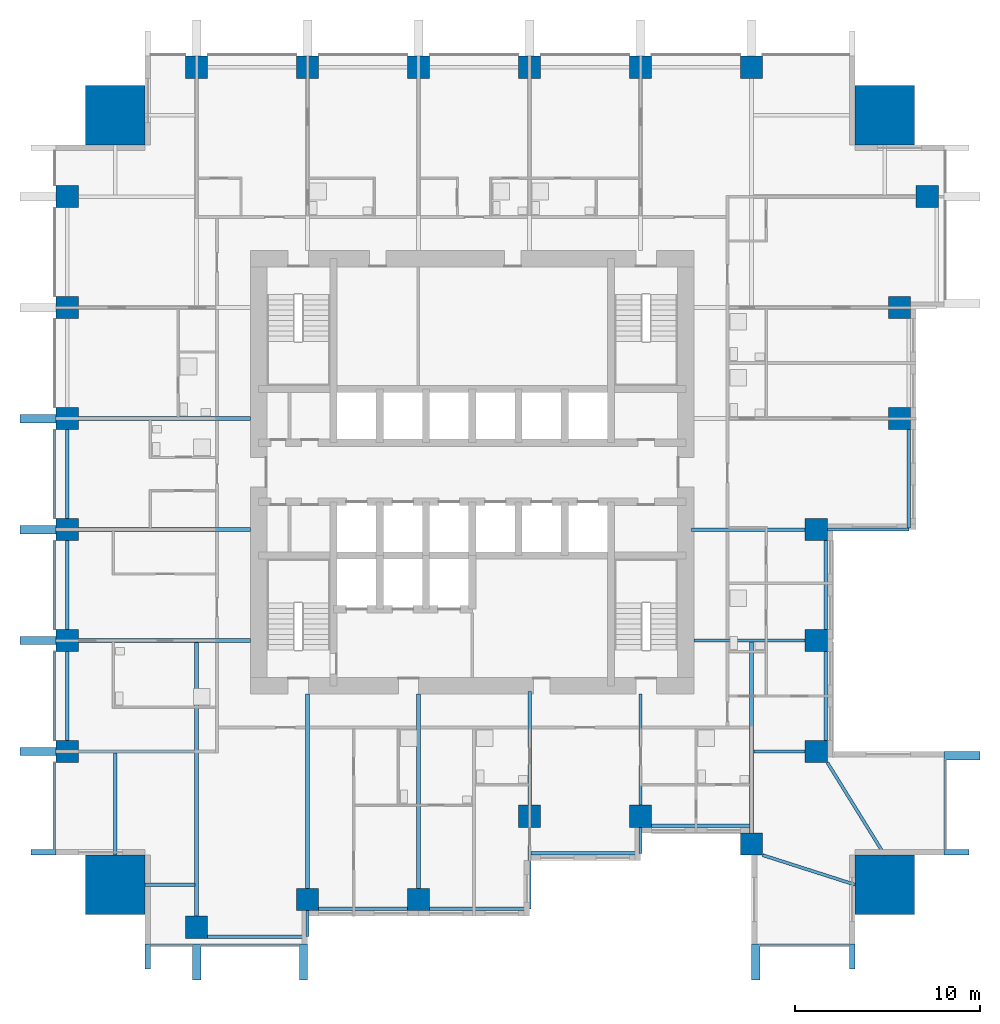
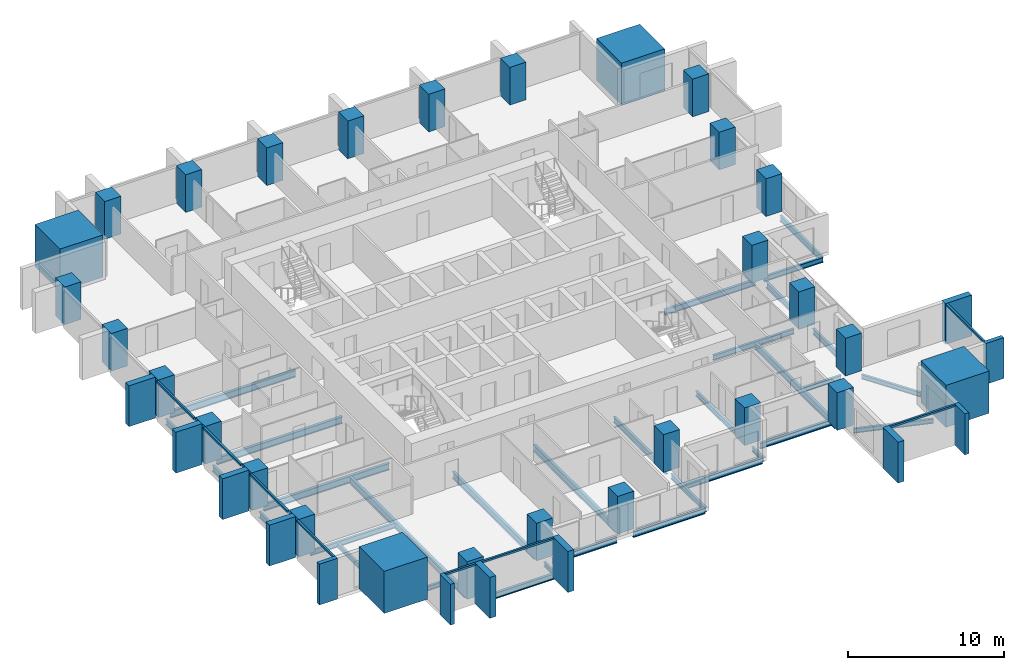
# One storey, part 1 of 10: 32 beams, 28 columns, 20 members, 4 elements without a shape of their own.
"""IFC4 building model written with IfcOpenShell, lengths in metres."""

from ifc_helpers import new_model, si_unit, direction, frame, origin, origin_2d, place, context, subcontext, project, spatial, rectangle, i_section, extrude, material, material_profile, profile_set, type_object, element, aggregate, save


model = new_model("IFC4")

# Units and contexts
model_context = context("Model", 3, precision=1e-05, world=origin(), true_north=direction((0.0, 1.0)))
body_context = subcontext(model_context, "Body", "Model", "MODEL_VIEW")
ifc_project = project(units=[si_unit("LENGTHUNIT", "METRE"), si_unit("AREAUNIT", "SQUARE_METRE"), si_unit("VOLUMEUNIT", "CUBIC_METRE"), si_unit("PLANEANGLEUNIT", "RADIAN"), si_unit("MASSUNIT", "GRAM", prefix="KILO")], contexts=[model_context])

# Site, building, storey
site_placement = place(None, origin())
site = spatial("IfcSite", under=ifc_project, at=site_placement, CompositionType="ELEMENT")
building_placement = place(site_placement, origin())
building = spatial("IfcBuilding", under=site, at=building_placement, Name="Amberfall Residences", CompositionType="ELEMENT")
storey_placement = place(building_placement, frame((0.0, 0.0, 66.39990234375)))
storey = spatial("IfcBuildingStorey", under=building, at=storey_placement, Name="L18", CompositionType="ELEMENT", Elevation=66.39990234375)

# Columns
ifc_material_1 = material(Name="Concrete C80", Category="concrete")
ifc_material_profile_1 = material_profile(ifc_material_1, rectangle(XDim=1.199951171875, YDim=1.199951171875, at=origin_2d()), Name="Column 1200 x 1200 C80")
ifc_profile_set_1 = profile_set([ifc_material_profile_1], Name="Concrete C80")
column_type_1 = type_object("IfcColumnType", Name="Column 1200 x 1200 C80", PredefinedType="COLUMN", material=ifc_profile_set_1)
for number, where, z_axis, x_axis, name in (
    (1, (59.60009765625, 20.89990234375, 0.0), (0.0, 0.0, 1.0), (1.0, 0.0, 0.0), "Column C1 L18 S1"),
    (2, (65.60009765625, 22.39990234375, 0.0), (0.0, 0.0, 1.0), (1.0, 0.0, 0.0), "Column C1 L18 S2"),
    (3, (71.60009765625, 22.39990234375, 0.0), (0.0, 0.0, 1.0), (1.0, 0.0, 0.0), "Column C1 L18 S3"),
    (4, (77.60009765625, 26.89990234375, 0.0), (0.0, 0.0, 1.0), (1.0, 0.0, 0.0), "Column C1 L18 S4"),
    (5, (83.60009765625, 26.89990234375, 0.0), (0.0, 0.0, 1.0), (1.0, 0.0, 0.0), "Column C1 L18 S5"),
    (6, (89.60009765625, 25.39990234375, 0.0), (0.0, 0.0, 1.0), (1.0, 0.0, 0.0), "Column C1 L18 S6"),
    (7, (93.10009765625, 30.39990234375, 0.0), (0.0, 0.0, 1.0), (1.0, 0.0, 0.0), "Column C1 L18 E1"),
    (8, (93.10009765625, 36.39990234375, 0.0), (0.0, 0.0, 1.0), (1.0, 0.0, 0.0), "Column C1 L18 E2"),
    (9, (93.10009765625, 42.39990234375, 0.0), (0.0, 0.0, 1.0), (1.0, 0.0, 0.0), "Column C1 L18 E3"),
    (10, (97.60009765625, 48.39990234375, 0.0), (0.0, 0.0, 1.0), (1.0, 0.0, 0.0), "Column C1 L18 E4"),
    (11, (97.60009765625, 54.39990234375, 0.0), (0.0, 0.0, 1.0), (1.0, 0.0, 0.0), "Column C1 L18 E5"),
    (12, (99.10009765625, 60.39990234375, 0.0), (0.0, 0.0, 1.0), (1.0, 0.0, 0.0), "Column C1 L18 E6"),
    (13, (59.60009765625, 67.39990234375, 0.0), (0.0, 0.0, 1.0), (1.0, 0.0, 0.0), "Column C1 L18 N1"),
    (14, (65.60009765625, 67.39990234375, 0.0), (0.0, 0.0, 1.0), (1.0, 0.0, 0.0), "Column C1 L18 N2"),
    (15, (71.60009765625, 67.39990234375, 0.0), (0.0, 0.0, 1.0), (1.0, 0.0, 0.0), "Column C1 L18 N3"),
    (16, (77.60009765625, 67.39990234375, 0.0), (0.0, 0.0, 1.0), (1.0, 0.0, 0.0), "Column C1 L18 N4"),
    (17, (83.60009765625, 67.39990234375, 0.0), (0.0, 0.0, 1.0), (1.0, 0.0, 0.0), "Column C1 L18 N5"),
    (18, (89.60009765625, 67.39990234375, 0.0), (0.0, 0.0, 1.0), (1.0, 0.0, 0.0), "Column C1 L18 N6"),
    (19, (52.60009765625, 30.39990234375, 0.0), (0.0, 0.0, 1.0), (1.0, 0.0, 0.0), "Column C1 L18 W1"),
    (20, (52.60009765625, 36.39990234375, 0.0), (0.0, 0.0, 1.0), (1.0, 0.0, 0.0), "Column C1 L18 W2"),
    (21, (52.60009765625, 42.39990234375, 0.0), (0.0, 0.0, 1.0), (1.0, 0.0, 0.0), "Column C1 L18 W3"),
    (22, (52.60009765625, 48.39990234375, 0.0), (0.0, 0.0, 1.0), (1.0, 0.0, 0.0), "Column C1 L18 W4"),
    (23, (52.60009765625, 54.39990234375, 0.0), (0.0, 0.0, 1.0), (1.0, 0.0, 0.0), "Column C1 L18 W5"),
    (24, (52.60009765625, 60.39990234375, 0.0), (0.0, 0.0, 1.0), (1.0, 0.0, 0.0), "Column C1 L18 W6"),
):
    element("IfcColumn", number, at=place(storey_placement, frame(where, z_axis=z_axis, x_axis=x_axis)), inside=storey, type_object=column_type_1, Name=name, PredefinedType="COLUMN", context=body_context, shape_type="SweptSolid", body=[
        extrude(rectangle(XDim=1.199951171875, YDim=1.199951171875, at=origin_2d()), origin(), (0.0, 0.0, 1.0), 2.9501953125),
    ])
ifc_material_profile_2 = material_profile(ifc_material_1, rectangle(XDim=3.199951171875, YDim=3.199951171875, at=origin_2d()), Name="Mega column 3200 x 3200 C80")
ifc_profile_set_2 = profile_set([ifc_material_profile_2], Name="Concrete C80")
column_type_2 = type_object("IfcColumnType", Name="Mega column 3200 x 3200 C80", PredefinedType="COLUMN", material=ifc_profile_set_2)
for number, where, z_axis, x_axis, name in (
    (25, (55.199951171875, 23.199951171875, 0.0), (0.0, 0.0, 1.0), (1.0, 0.0, 0.0), "Mega column MC1 L18 SW"),
    (26, (96.800048828125, 23.199951171875, 0.0), (0.0, 0.0, 1.0), (1.0, 0.0, 0.0), "Mega column MC1 L18 SE"),
    (27, (96.800048828125, 64.800048828125, 0.0), (0.0, 0.0, 1.0), (1.0, 0.0, 0.0), "Mega column MC1 L18 NE"),
    (28, (55.199951171875, 64.800048828125, 0.0), (0.0, 0.0, 1.0), (1.0, 0.0, 0.0), "Mega column MC1 L18 NW"),
):
    element("IfcColumn", number, at=place(storey_placement, frame(where, z_axis=z_axis, x_axis=x_axis)), inside=storey, type_object=column_type_2, Name=name, PredefinedType="COLUMN", context=body_context, shape_type="SweptSolid", body=[
        extrude(rectangle(XDim=3.199951171875, YDim=3.199951171875, at=origin_2d()), origin(), (0.0, 0.0, 1.0), 3.300048828125),
    ])

# Curtain wall, members
ifc_material_2 = material(Name="Bronze anodised aluminium and glass", Category="aluminium")
curtain_wall_type = type_object("IfcCurtainWallType", Name="Curtain wall CW1 tower unit", PredefinedType="USERDEFINED", material=ifc_material_2)
curtain_wall_1_placement = place(storey_placement, origin())
curtain_wall_1 = element("IfcCurtainWall", 29, at=curtain_wall_1_placement, inside=storey, type_object=curtain_wall_type, Name="Curtain wall L18 S S1", ObjectType="UNITISED CURTAIN WALL", PredefinedType="USERDEFINED")
ifc_material_3 = material(Name="Bronze anodised aluminium", Category="aluminium")
ifc_material_profile_3 = material_profile(ifc_material_3, rectangle(XDim=0.14990234375, YDim=0.14990234375, at=origin_2d()), Name="CW1 transom 150 x 150 bronze")
ifc_profile_set_3 = profile_set([ifc_material_profile_3], Name="Bronze anodised aluminium")
member_type_1 = type_object("IfcMemberType", Name="CW1 transom 150 x 150 bronze", PredefinedType="USERDEFINED", material=ifc_profile_set_3)
member_1_placement = place(storey_placement, frame((57.10009765625, 19.925048828125, 2.875), z_axis=(1.0, 0.0, 0.0), x_axis=(0.0, 1.0, 0.0)))
member_1 = element("IfcMember", 30, at=member_1_placement, type_object=member_type_1, Name="CW1 transom 1.1", ObjectType="TRANSOM", PredefinedType="USERDEFINED", context=body_context, shape_type="SweptSolid", body=[
    extrude(rectangle(XDim=0.14990234375, YDim=0.14990234375, at=origin_2d()), origin(), (0.0, 0.0, 1.0), 2.27490234375),
])
member_2_placement = place(storey_placement, frame((59.824951171875, 19.925048828125, 2.875), z_axis=(1.0, 0.0, 0.0), x_axis=(0.0, 1.0, 0.0)))
member_2 = element("IfcMember", 31, at=member_2_placement, type_object=member_type_1, Name="CW1 transom 2.1", ObjectType="TRANSOM", PredefinedType="USERDEFINED", context=body_context, shape_type="SweptSolid", body=[
    extrude(rectangle(XDim=0.14990234375, YDim=0.14990234375, at=origin_2d()), origin(), (0.0, 0.0, 1.0), 5.324951171875),
])

# Curtain wall, member
curtain_wall_2_placement = place(storey_placement, origin())
curtain_wall_2 = element("IfcCurtainWall", 32, at=curtain_wall_2_placement, inside=storey, type_object=curtain_wall_type, Name="Curtain wall L18 S S10", ObjectType="UNITISED CURTAIN WALL", PredefinedType="USERDEFINED")
member_3_placement = place(storey_placement, frame((90.050048828125, 19.925048828125, 2.875), z_axis=(1.0, 0.0, 0.0), x_axis=(0.0, 1.0, 0.0)))
member_3 = element("IfcMember", 33, at=member_3_placement, type_object=member_type_1, Name="CW1 transom 1.1", ObjectType="TRANSOM", PredefinedType="USERDEFINED", context=body_context, shape_type="SweptSolid", body=[
    extrude(rectangle(XDim=0.14990234375, YDim=0.14990234375, at=origin_2d()), origin(), (0.0, 0.0, 1.0), 4.849853515625),
])

curtain_wall_3_placement = place(storey_placement, origin())
curtain_wall_3 = element("IfcCurtainWall", 34, at=curtain_wall_3_placement, inside=storey, type_object=curtain_wall_type, Name="Curtain wall L18 E E1", ObjectType="UNITISED CURTAIN WALL", PredefinedType="USERDEFINED")
member_4_placement = place(storey_placement, frame((100.074951171875, 25.10009765625, 2.875), z_axis=(0.0, 1.0, 0.0), x_axis=(-1.0, 0.0, 0.0)))
member_4 = element("IfcMember", 35, at=member_4_placement, type_object=member_type_1, Name="CW1 transom 1.1", ObjectType="TRANSOM", PredefinedType="USERDEFINED", context=body_context, shape_type="SweptSolid", body=[
    extrude(rectangle(XDim=0.14990234375, YDim=0.14990234375, at=origin_2d()), origin(), (0.0, 0.0, 1.0), 4.849853515625),
])

# Curtain wall, members
curtain_wall_4_placement = place(storey_placement, origin())
curtain_wall_4 = element("IfcCurtainWall", 36, at=curtain_wall_4_placement, inside=storey, type_object=curtain_wall_type, Name="Curtain wall L18 W W1", ObjectType="UNITISED CURTAIN WALL", PredefinedType="USERDEFINED")
member_5_placement = place(storey_placement, frame((51.925048828125, 47.794921875, 2.875), z_axis=(0.0, -1.0, 0.0), x_axis=(1.0, 0.0, 0.0)))
member_5 = element("IfcMember", 37, at=member_5_placement, type_object=member_type_1, Name="CW1 transom 4.1", ObjectType="TRANSOM", PredefinedType="USERDEFINED", context=body_context, shape_type="SweptSolid", body=[
    extrude(rectangle(XDim=0.14990234375, YDim=0.14990234375, at=origin_2d()), origin(), (0.0, 0.0, 1.0), 4.7900390625),
])
member_6_placement = place(storey_placement, frame((51.925048828125, 41.794921875, 2.875), z_axis=(0.0, -1.0, 0.0), x_axis=(1.0, 0.0, 0.0)))
member_6 = element("IfcMember", 38, at=member_6_placement, type_object=member_type_1, Name="CW1 transom 5.1", ObjectType="TRANSOM", PredefinedType="USERDEFINED", context=body_context, shape_type="SweptSolid", body=[
    extrude(rectangle(XDim=0.14990234375, YDim=0.14990234375, at=origin_2d()), origin(), (0.0, 0.0, 1.0), 4.7900390625),
])
member_7_placement = place(storey_placement, frame((51.925048828125, 35.794921875, 2.875), z_axis=(0.0, -1.0, 0.0), x_axis=(1.0, 0.0, 0.0)))
member_7 = element("IfcMember", 39, at=member_7_placement, type_object=member_type_1, Name="CW1 transom 6.1", ObjectType="TRANSOM", PredefinedType="USERDEFINED", context=body_context, shape_type="SweptSolid", body=[
    extrude(rectangle(XDim=0.14990234375, YDim=0.14990234375, at=origin_2d()), origin(), (0.0, 0.0, 1.0), 4.7900390625),
])
member_8_placement = place(storey_placement, frame((51.925048828125, 29.794921875, 2.875), z_axis=(0.0, -1.0, 0.0), x_axis=(1.0, 0.0, 0.0)))
member_8 = element("IfcMember", 40, at=member_8_placement, type_object=member_type_1, Name="CW1 transom 7.1", ObjectType="TRANSOM", PredefinedType="USERDEFINED", context=body_context, shape_type="SweptSolid", body=[
    extrude(rectangle(XDim=0.14990234375, YDim=0.14990234375, at=origin_2d()), origin(), (0.0, 0.0, 1.0), 4.69482421875),
])

# Beams
ifc_material_4 = material(Name="Steel S355", Category="steel")
ifc_material_profile_4 = material_profile(ifc_material_4, i_section(OverallWidth=0.171142578125, OverallDepth=0.351318359375, WebThickness=0.007080078125, FlangeThickness=0.009765625, FilletRadius=0.01025390625, at=origin_2d()), Name="UB 356x171x45")
ifc_profile_set_4 = profile_set([ifc_material_profile_4], Name="Steel S355")
beam_type_1 = type_object("IfcBeamType", Name="Cantilever girder UB 356x171x45", PredefinedType="BEAM", material=ifc_profile_set_4)
for number, where, z_axis, x_axis, name in (
    (41, (65.60009765625, 21.800048828125, -0.425537109375), (0.0, -1.0, 0.0), (1.0, 0.0, 0.0), "Cantilever girder B8 L18 06"),
    (42, (83.60009765625, 26.300048828125, -0.425537109375), (0.0, -1.0, 0.0), (1.0, 0.0, 0.0), "Cantilever girder B8 L18 08"),
):
    element("IfcBeam", number, at=place(storey_placement, frame(where, z_axis=z_axis, x_axis=x_axis)), inside=storey, type_object=beam_type_1, Name=name, PredefinedType="BEAM", context=body_context, shape_type="SweptSolid", body=[
        extrude(i_section(OverallWidth=0.171142578125, OverallDepth=0.351318359375, WebThickness=0.007080078125, FlangeThickness=0.009765625, FilletRadius=0.01025390625, at=origin_2d()), origin(), (0.0, 0.0, 1.0), 1.400146484375),
    ])
ifc_material_profile_5 = material_profile(ifc_material_4, i_section(OverallWidth=0.177734375, OverallDepth=0.402587890625, WebThickness=0.0078125, FlangeThickness=0.010986328125, FilletRadius=0.01025390625, at=origin_2d()), Name="UB 406x178x54")
ifc_profile_set_5 = profile_set([ifc_material_profile_5], Name="Steel S355")
beam_type_2 = type_object("IfcBeamType", Name="Cantilever girder UB 406x178x54", PredefinedType="BEAM", material=ifc_profile_set_5)
for number, where, z_axis, x_axis, name in (
    (43, (77.60009765625, 26.300048828125, -0.451171875), (0.0, -1.0, 0.0), (1.0, 0.0, 0.0), "Cantilever girder B9 L18 07"),
    (44, (93.699951171875, 42.39990234375, -0.451171875), (1.0, 0.0, 0.0), (0.0, 1.0, 0.0), "Cantilever girder B9 L18 20"),
):
    element("IfcBeam", number, at=place(storey_placement, frame(where, z_axis=z_axis, x_axis=x_axis)), inside=storey, type_object=beam_type_2, Name=name, PredefinedType="BEAM", context=body_context, shape_type="SweptSolid", body=[
        extrude(i_section(OverallWidth=0.177734375, OverallDepth=0.402587890625, WebThickness=0.0078125, FlangeThickness=0.010986328125, FilletRadius=0.01025390625, at=origin_2d()), origin(), (0.0, 0.0, 1.0), 4.400146484375),
    ])

# Member
ifc_material_profile_6 = material_profile(ifc_material_3, rectangle(XDim=1.35009765625, YDim=0.300048828125, at=origin_2d()), Name="Corner fin 300 x 1350 bronze")
ifc_profile_set_6 = profile_set([ifc_material_profile_6], Name="Bronze anodised aluminium")
member_type_2 = type_object("IfcMemberType", Name="Corner fin 300 x 1350 bronze", PredefinedType="MULLION", material=ifc_profile_set_6)
member_9_placement = place(storey_placement, frame((56.949951171875, 19.324951171875, -0.25), z_axis=(0.0, 0.0, 1.0), x_axis=(0.0, 1.0, 0.0)))
member_9 = element("IfcMember", 45, at=member_9_placement, type_object=member_type_2, Name="CW FIN 1", PredefinedType="MULLION", context=body_context, shape_type="SweptSolid", body=[
    extrude(rectangle(XDim=1.35009765625, YDim=0.300048828125, at=origin_2d()), origin(), (0.0, 0.0, 1.0), 3.2001953125),
])

member_10_placement = place(storey_placement, frame((95.050048828125, 19.324951171875, -0.25), z_axis=(0.0, 0.0, 1.0), x_axis=(0.0, 1.0, 0.0)))
member_10 = element("IfcMember", 46, at=member_10_placement, type_object=member_type_2, Name="CW FIN 2", PredefinedType="MULLION", context=body_context, shape_type="SweptSolid", body=[
    extrude(rectangle(XDim=1.35009765625, YDim=0.300048828125, at=origin_2d()), origin(), (0.0, 0.0, 1.0), 3.2001953125),
])

member_11_placement = place(storey_placement, frame((100.675048828125, 24.949951171875, -0.25), z_axis=(0.0, 0.0, 1.0), x_axis=(-1.0, 0.0, 0.0)))
member_11 = element("IfcMember", 47, at=member_11_placement, type_object=member_type_2, Name="CW FIN 1", PredefinedType="MULLION", context=body_context, shape_type="SweptSolid", body=[
    extrude(rectangle(XDim=1.35009765625, YDim=0.300048828125, at=origin_2d()), origin(), (0.0, 0.0, 1.0), 3.2001953125),
])

member_12_placement = place(storey_placement, frame((51.324951171875, 24.949951171875, -0.25), z_axis=(0.0, 0.0, 1.0), x_axis=(1.0, 0.0, 0.0)))
member_12 = element("IfcMember", 48, at=member_12_placement, type_object=member_type_2, Name="CW FIN 8", PredefinedType="MULLION", context=body_context, shape_type="SweptSolid", body=[
    extrude(rectangle(XDim=1.35009765625, YDim=0.300048828125, at=origin_2d()), origin(), (0.0, 0.0, 1.0), 3.2001953125),
])

# Beams
ifc_material_profile_7 = material_profile(ifc_material_4, i_section(OverallWidth=0.18994140625, OverallDepth=0.453369140625, WebThickness=0.008544921875, FlangeThickness=0.0126953125, FilletRadius=0.01025390625, at=origin_2d()), Name="UB 457x191x67")
ifc_profile_set_7 = profile_set([ifc_material_profile_7], Name="Steel S355")
beam_type_3 = type_object("IfcBeamType", Name="Edge beam UB 457x191x67", PredefinedType="SPANDREL", material=ifc_profile_set_7)
beam_1_placement = place(storey_placement, frame((60.199951171875, 20.39990234375, -0.4765625), z_axis=(1.0, 0.0, 0.0), x_axis=(0.0, 1.0, 0.0)))
element("IfcBeam", 49, at=beam_1_placement, inside=storey, type_object=beam_type_3, Name="Edge beam B1 L18 01", PredefinedType="SPANDREL", context=body_context, shape_type="SweptSolid", body=[
    extrude(i_section(OverallWidth=0.18994140625, OverallDepth=0.453369140625, WebThickness=0.008544921875, FlangeThickness=0.0126953125, FilletRadius=0.01025390625, at=origin_2d()), origin(), (0.0, 0.0, 1.0), 5.320068359375),
])
beam_2_placement = place(storey_placement, frame((66.199951171875, 21.89990234375, -0.4765625), z_axis=(1.0, 0.0, 0.0), x_axis=(0.0, 1.0, 0.0)))
element("IfcBeam", 50, at=beam_2_placement, inside=storey, type_object=beam_type_3, Name="Edge beam B1 L18 02", PredefinedType="SPANDREL", context=body_context, shape_type="SweptSolid", body=[
    extrude(i_section(OverallWidth=0.18994140625, OverallDepth=0.453369140625, WebThickness=0.008544921875, FlangeThickness=0.0126953125, FilletRadius=0.01025390625, at=origin_2d()), origin(), (0.0, 0.0, 1.0), 4.800048828125),
])
beam_3_placement = place(storey_placement, frame((72.199951171875, 21.89990234375, -0.4765625), z_axis=(1.0, 0.0, 0.0), x_axis=(0.0, 1.0, 0.0)))
element("IfcBeam", 51, at=beam_3_placement, inside=storey, type_object=beam_type_3, Name="Edge beam B1 L18 03", PredefinedType="SPANDREL", context=body_context, shape_type="SweptSolid", body=[
    extrude(i_section(OverallWidth=0.18994140625, OverallDepth=0.453369140625, WebThickness=0.008544921875, FlangeThickness=0.0126953125, FilletRadius=0.01025390625, at=origin_2d()), origin(), (0.0, 0.0, 1.0), 5.320068359375),
])
beam_4_placement = place(storey_placement, frame((77.679931640625, 24.89990234375, -0.4765625), z_axis=(1.0, 0.0, 0.0), x_axis=(0.0, 1.0, 0.0)))
element("IfcBeam", 52, at=beam_4_placement, inside=storey, type_object=beam_type_3, Name="Edge beam B1 L18 04", PredefinedType="SPANDREL", context=body_context, shape_type="SweptSolid", body=[
    extrude(i_section(OverallWidth=0.18994140625, OverallDepth=0.453369140625, WebThickness=0.008544921875, FlangeThickness=0.0126953125, FilletRadius=0.01025390625, at=origin_2d()), origin(), (0.0, 0.0, 1.0), 5.840087890625),
])
beam_5_placement = place(storey_placement, frame((84.199951171875, 26.39990234375, -0.4765625), z_axis=(1.0, 0.0, 0.0), x_axis=(0.0, 1.0, 0.0)))
element("IfcBeam", 53, at=beam_5_placement, inside=storey, type_object=beam_type_3, Name="Edge beam B1 L18 05", PredefinedType="SPANDREL", context=body_context, shape_type="SweptSolid", body=[
    extrude(i_section(OverallWidth=0.18994140625, OverallDepth=0.453369140625, WebThickness=0.008544921875, FlangeThickness=0.0126953125, FilletRadius=0.01025390625, at=origin_2d()), origin(), (0.0, 0.0, 1.0), 5.320068359375),
])
for number, where, z_axis, x_axis, name in (
    (54, (93.60009765625, 31.0, -0.4765625), (0.0, 1.0, 0.0), (-1.0, 0.0, 0.0), "Edge beam B1 L18 15"),
    (55, (93.60009765625, 37.0, -0.4765625), (0.0, 1.0, 0.0), (-1.0, 0.0, 0.0), "Edge beam B1 L18 16"),
):
    element("IfcBeam", number, at=place(storey_placement, frame(where, z_axis=z_axis, x_axis=x_axis)), inside=storey, type_object=beam_type_3, Name=name, PredefinedType="SPANDREL", context=body_context, shape_type="SweptSolid", body=[
        extrude(i_section(OverallWidth=0.18994140625, OverallDepth=0.453369140625, WebThickness=0.008544921875, FlangeThickness=0.0126953125, FilletRadius=0.01025390625, at=origin_2d()), origin(), (0.0, 0.0, 1.0), 4.800048828125),
    ])
beam_6_placement = place(storey_placement, frame((98.10009765625, 42.47998046875, -0.4765625), z_axis=(0.0, 1.0, 0.0), x_axis=(-1.0, 0.0, 0.0)))
element("IfcBeam", 56, at=beam_6_placement, inside=storey, type_object=beam_type_3, Name="Edge beam B1 L18 17", PredefinedType="SPANDREL", context=body_context, shape_type="SweptSolid", body=[
    extrude(i_section(OverallWidth=0.18994140625, OverallDepth=0.453369140625, WebThickness=0.008544921875, FlangeThickness=0.0126953125, FilletRadius=0.01025390625, at=origin_2d()), origin(), (0.0, 0.0, 1.0), 5.320068359375),
])
for number, where, z_axis, x_axis, name in (
    (57, (52.60009765625, 31.0, -0.4765625), (0.0, 1.0, 0.0), (-1.0, 0.0, 0.0), "Edge beam B1 L18 39"),
    (58, (52.60009765625, 37.0, -0.4765625), (0.0, 1.0, 0.0), (-1.0, 0.0, 0.0), "Edge beam B1 L18 40"),
    (59, (52.60009765625, 43.0, -0.4765625), (0.0, 1.0, 0.0), (-1.0, 0.0, 0.0), "Edge beam B1 L18 41"),
):
    element("IfcBeam", number, at=place(storey_placement, frame(where, z_axis=z_axis, x_axis=x_axis)), inside=storey, type_object=beam_type_3, Name=name, PredefinedType="SPANDREL", context=body_context, shape_type="SweptSolid", body=[
        extrude(i_section(OverallWidth=0.18994140625, OverallDepth=0.453369140625, WebThickness=0.008544921875, FlangeThickness=0.0126953125, FilletRadius=0.01025390625, at=origin_2d()), origin(), (0.0, 0.0, 1.0), 4.800048828125),
    ])

# Member
ifc_material_profile_8 = material_profile(ifc_material_3, rectangle(XDim=1.949951171875, YDim=0.449951171875, at=origin_2d()), Name="Fin 450 x 1950 bronze")
ifc_profile_set_8 = profile_set([ifc_material_profile_8], Name="Bronze anodised aluminium")
member_type_3 = type_object("IfcMemberType", Name="Fin 450 x 1950 bronze", PredefinedType="MULLION", material=ifc_profile_set_8)
member_13_placement = place(storey_placement, frame((59.60009765625, 19.02490234375, -0.25), z_axis=(0.0, 0.0, 1.0), x_axis=(0.0, 1.0, 0.0)))
member_13 = element("IfcMember", 60, at=member_13_placement, type_object=member_type_3, Name="CW FIN 2", PredefinedType="MULLION", context=body_context, shape_type="SweptSolid", body=[
    extrude(rectangle(XDim=1.949951171875, YDim=0.449951171875, at=origin_2d()), origin(), (0.0, 0.0, 1.0), 3.2001953125),
])

member_14_placement = place(storey_placement, frame((65.375, 19.02490234375, -0.25), z_axis=(0.0, 0.0, 1.0), x_axis=(0.0, 1.0, 0.0)))
member_14 = element("IfcMember", 61, at=member_14_placement, type_object=member_type_3, Name="CW FIN 3", PredefinedType="MULLION", context=body_context, shape_type="SweptSolid", body=[
    extrude(rectangle(XDim=1.949951171875, YDim=0.449951171875, at=origin_2d()), origin(), (0.0, 0.0, 1.0), 3.2001953125),
])

aggregate(curtain_wall_1, [member_9, member_13, member_14, member_1, member_2])

member_15_placement = place(storey_placement, frame((89.824951171875, 19.02490234375, -0.25), z_axis=(0.0, 0.0, 1.0), x_axis=(0.0, 1.0, 0.0)))
member_15 = element("IfcMember", 62, at=member_15_placement, type_object=member_type_3, Name="CW FIN 1", PredefinedType="MULLION", context=body_context, shape_type="SweptSolid", body=[
    extrude(rectangle(XDim=1.949951171875, YDim=0.449951171875, at=origin_2d()), origin(), (0.0, 0.0, 1.0), 3.2001953125),
])

aggregate(curtain_wall_2, [member_15, member_10, member_3])

member_16_placement = place(storey_placement, frame((100.97509765625, 30.175048828125, -0.25), z_axis=(0.0, 0.0, 1.0), x_axis=(-1.0, 0.0, 0.0)))
member_16 = element("IfcMember", 63, at=member_16_placement, type_object=member_type_3, Name="CW FIN 2", PredefinedType="MULLION", context=body_context, shape_type="SweptSolid", body=[
    extrude(rectangle(XDim=1.949951171875, YDim=0.449951171875, at=origin_2d()), origin(), (0.0, 0.0, 1.0), 3.2001953125),
])

aggregate(curtain_wall_3, [member_11, member_16, member_4])

member_17_placement = place(storey_placement, frame((51.02490234375, 48.39990234375, -0.25), z_axis=(0.0, 0.0, 1.0), x_axis=(1.0, 0.0, 0.0)))
member_17 = element("IfcMember", 64, at=member_17_placement, type_object=member_type_3, Name="CW FIN 4", PredefinedType="MULLION", context=body_context, shape_type="SweptSolid", body=[
    extrude(rectangle(XDim=1.949951171875, YDim=0.449951171875, at=origin_2d()), origin(), (0.0, 0.0, 1.0), 3.2001953125),
])

member_18_placement = place(storey_placement, frame((51.02490234375, 42.39990234375, -0.25), z_axis=(0.0, 0.0, 1.0), x_axis=(1.0, 0.0, 0.0)))
member_18 = element("IfcMember", 65, at=member_18_placement, type_object=member_type_3, Name="CW FIN 5", PredefinedType="MULLION", context=body_context, shape_type="SweptSolid", body=[
    extrude(rectangle(XDim=1.949951171875, YDim=0.449951171875, at=origin_2d()), origin(), (0.0, 0.0, 1.0), 3.2001953125),
])

member_19_placement = place(storey_placement, frame((51.02490234375, 36.39990234375, -0.25), z_axis=(0.0, 0.0, 1.0), x_axis=(1.0, 0.0, 0.0)))
member_19 = element("IfcMember", 66, at=member_19_placement, type_object=member_type_3, Name="CW FIN 6", PredefinedType="MULLION", context=body_context, shape_type="SweptSolid", body=[
    extrude(rectangle(XDim=1.949951171875, YDim=0.449951171875, at=origin_2d()), origin(), (0.0, 0.0, 1.0), 3.2001953125),
])

member_20_placement = place(storey_placement, frame((51.02490234375, 30.39990234375, -0.25), z_axis=(0.0, 0.0, 1.0), x_axis=(1.0, 0.0, 0.0)))
member_20 = element("IfcMember", 67, at=member_20_placement, type_object=member_type_3, Name="CW FIN 7", PredefinedType="MULLION", context=body_context, shape_type="SweptSolid", body=[
    extrude(rectangle(XDim=1.949951171875, YDim=0.449951171875, at=origin_2d()), origin(), (0.0, 0.0, 1.0), 3.2001953125),
])

aggregate(curtain_wall_4, [member_17, member_18, member_19, member_20, member_12, member_5, member_6, member_7, member_8])

# Beams
ifc_material_profile_9 = material_profile(ifc_material_4, i_section(OverallWidth=0.171142578125, OverallDepth=0.351318359375, WebThickness=0.007080078125, FlangeThickness=0.009765625, FilletRadius=0.01025390625, at=origin_2d()), Name="UB 356x171x45")
ifc_profile_set_9 = profile_set([ifc_material_profile_9], Name="Steel S355")
beam_type_4 = type_object("IfcBeamType", Name="Floor girder UB 356x171x45", PredefinedType="BEAM", material=ifc_profile_set_9)
beam_7_placement = place(storey_placement, frame((92.5, 30.39990234375, -0.425537109375), z_axis=(-1.0, 0.0, 0.0), x_axis=(0.0, -1.0, 0.0)))
element("IfcBeam", 68, at=beam_7_placement, inside=storey, type_object=beam_type_4, Name="Floor girder B11 L18 22", PredefinedType="BEAM", context=body_context, shape_type="SweptSolid", body=[
    extrude(i_section(OverallWidth=0.171142578125, OverallDepth=0.351318359375, WebThickness=0.007080078125, FlangeThickness=0.009765625, FilletRadius=0.01025390625, at=origin_2d()), origin(), (0.0, 0.0, 1.0), 2.780029296875),
])
ifc_material_profile_10 = material_profile(ifc_material_4, i_section(OverallWidth=0.177734375, OverallDepth=0.402587890625, WebThickness=0.0078125, FlangeThickness=0.010986328125, FilletRadius=0.01025390625, at=origin_2d()), Name="UB 406x178x54")
ifc_profile_set_10 = profile_set([ifc_material_profile_10], Name="Steel S355")
beam_type_5 = type_object("IfcBeamType", Name="Floor girder UB 406x178x54", PredefinedType="BEAM", material=ifc_profile_set_10)
for number, where, z_axis, x_axis, name in (
    (69, (83.60009765625, 27.5, -0.451171875), (0.0, 1.0, 0.0), (-1.0, 0.0, 0.0), "Floor girder B4 L18 13"),
    (70, (92.5, 36.39990234375, -0.451171875), (-1.0, 0.0, 0.0), (0.0, -1.0, 0.0), "Floor girder B4 L18 23"),
):
    element("IfcBeam", number, at=place(storey_placement, frame(where, z_axis=z_axis, x_axis=x_axis)), inside=storey, type_object=beam_type_5, Name=name, PredefinedType="BEAM", context=body_context, shape_type="SweptSolid", body=[
        extrude(i_section(OverallWidth=0.177734375, OverallDepth=0.402587890625, WebThickness=0.0078125, FlangeThickness=0.010986328125, FilletRadius=0.01025390625, at=origin_2d()), origin(), (0.0, 0.0, 1.0), 6.0),
    ])
beam_8_placement = place(storey_placement, frame((53.199951171875, 30.39990234375, -0.451171875), z_axis=(1.0, 0.0, 0.0), x_axis=(0.0, 1.0, 0.0)))
element("IfcBeam", 71, at=beam_8_placement, inside=storey, type_object=beam_type_5, Name="Floor girder B4 L18 44", PredefinedType="BEAM", context=body_context, shape_type="SweptSolid", body=[
    extrude(i_section(OverallWidth=0.177734375, OverallDepth=0.402587890625, WebThickness=0.0078125, FlangeThickness=0.010986328125, FilletRadius=0.01025390625, at=origin_2d()), origin(), (0.0, 0.0, 1.0), 6.280029296875),
])
ifc_material_profile_11 = material_profile(ifc_material_4, i_section(OverallWidth=0.19140625, OverallDepth=0.4599609375, WebThickness=0.010009765625, FlangeThickness=0.01611328125, FilletRadius=0.01025390625, at=origin_2d()), Name="UB 457x191x82")
ifc_profile_set_11 = profile_set([ifc_material_profile_11], Name="Steel S355")
beam_type_6 = type_object("IfcBeamType", Name="Floor girder UB 457x191x82", PredefinedType="BEAM", material=ifc_profile_set_11)
for number, where, z_axis, x_axis, name in (
    (72, (77.60009765625, 26.89990234375, -0.47998046875), (0.0, 1.0, 0.0), (-1.0, 0.0, 0.0), "Floor girder B10 L18 12"),
    (73, (93.10009765625, 42.39990234375, -0.47998046875), (-1.0, 0.0, 0.0), (0.0, -1.0, 0.0), "Floor girder B10 L18 24"),
):
    element("IfcBeam", number, at=place(storey_placement, frame(where, z_axis=z_axis, x_axis=x_axis)), inside=storey, type_object=beam_type_6, Name=name, PredefinedType="BEAM", context=body_context, shape_type="SweptSolid", body=[
        extrude(i_section(OverallWidth=0.19140625, OverallDepth=0.4599609375, WebThickness=0.010009765625, FlangeThickness=0.01611328125, FilletRadius=0.01025390625, at=origin_2d()), origin(), (0.0, 0.0, 1.0), 6.75),
    ])
ifc_material_profile_12 = material_profile(ifc_material_4, i_section(OverallWidth=0.210693359375, OverallDepth=0.53955078125, WebThickness=0.01171875, FlangeThickness=0.018798828125, FilletRadius=0.0126953125, at=origin_2d()), Name="UB 533x210x109")
ifc_profile_set_12 = profile_set([ifc_material_profile_12], Name="Steel S355")
beam_type_7 = type_object("IfcBeamType", Name="Floor girder UB 533x210x109", PredefinedType="BEAM", material=ifc_profile_set_12)
beam_9_placement = place(storey_placement, frame((59.60009765625, 21.5, -0.51953125), z_axis=(0.0, 1.0, 0.0), x_axis=(-1.0, 0.0, 0.0)))
element("IfcBeam", 74, at=beam_9_placement, inside=storey, type_object=beam_type_7, Name="Floor girder B2 L18 09", PredefinedType="BEAM", context=body_context, shape_type="SweptSolid", body=[
    extrude(i_section(OverallWidth=0.210693359375, OverallDepth=0.53955078125, WebThickness=0.01171875, FlangeThickness=0.018798828125, FilletRadius=0.0126953125, at=origin_2d()), origin(), (0.0, 0.0, 1.0), 14.80029296875),
])
ifc_material_profile_13 = material_profile(ifc_material_4, i_section(OverallWidth=0.209228515625, OverallDepth=0.533203125, WebThickness=0.010009765625, FlangeThickness=0.015625, FilletRadius=0.0126953125, at=origin_2d()), Name="UB 533x210x92")
ifc_profile_set_13 = profile_set([ifc_material_profile_13], Name="Steel S355")
beam_type_8 = type_object("IfcBeamType", Name="Floor girder UB 533x210x92", PredefinedType="BEAM", material=ifc_profile_set_13)
for number, where, z_axis, x_axis, name in (
    (75, (65.60009765625, 23.0, -0.516357421875), (0.0, 1.0, 0.0), (-1.0, 0.0, 0.0), "Floor girder B3 L18 10"),
    (76, (71.60009765625, 23.0, -0.516357421875), (0.0, 1.0, 0.0), (-1.0, 0.0, 0.0), "Floor girder B3 L18 11"),
):
    element("IfcBeam", number, at=place(storey_placement, frame(where, z_axis=z_axis, x_axis=x_axis)), inside=storey, type_object=beam_type_8, Name=name, PredefinedType="BEAM", context=body_context, shape_type="SweptSolid", body=[
        extrude(i_section(OverallWidth=0.209228515625, OverallDepth=0.533203125, WebThickness=0.010009765625, FlangeThickness=0.015625, FilletRadius=0.0126953125, at=origin_2d()), origin(), (0.0, 0.0, 1.0), 10.5),
    ])
beam_10_placement = place(storey_placement, frame((89.60009765625, 26.0, -0.516357421875), z_axis=(0.0, 1.0, 0.0), x_axis=(-1.0, 0.0, 0.0)))
element("IfcBeam", 77, at=beam_10_placement, inside=storey, type_object=beam_type_8, Name="Floor girder B3 L18 14", PredefinedType="BEAM", context=body_context, shape_type="SweptSolid", body=[
    extrude(i_section(OverallWidth=0.209228515625, OverallDepth=0.533203125, WebThickness=0.010009765625, FlangeThickness=0.015625, FilletRadius=0.0126953125, at=origin_2d()), origin(), (0.0, 0.0, 1.0), 10.316162109375),
])
for number, where, z_axis, x_axis, name in (
    (78, (53.199951171875, 36.39990234375, -0.516357421875), (1.0, 0.0, 0.0), (0.0, 1.0, 0.0), "Floor girder B3 L18 45"),
    (79, (53.199951171875, 42.39990234375, -0.516357421875), (1.0, 0.0, 0.0), (0.0, 1.0, 0.0), "Floor girder B3 L18 46"),
    (80, (53.199951171875, 48.39990234375, -0.516357421875), (1.0, 0.0, 0.0), (0.0, 1.0, 0.0), "Floor girder B3 L18 47"),
):
    element("IfcBeam", number, at=place(storey_placement, frame(where, z_axis=z_axis, x_axis=x_axis)), inside=storey, type_object=beam_type_8, Name=name, PredefinedType="BEAM", context=body_context, shape_type="SweptSolid", body=[
        extrude(i_section(OverallWidth=0.209228515625, OverallDepth=0.533203125, WebThickness=0.010009765625, FlangeThickness=0.015625, FilletRadius=0.0126953125, at=origin_2d()), origin(), (0.0, 0.0, 1.0), 9.300048828125),
    ])
ifc_material_profile_14 = material_profile(ifc_material_4, i_section(OverallWidth=0.171142578125, OverallDepth=0.351318359375, WebThickness=0.007080078125, FlangeThickness=0.009765625, FilletRadius=0.01025390625, at=origin_2d()), Name="UB 356x171x45")
ifc_profile_set_14 = profile_set([ifc_material_profile_14], Name="Steel S355")
beam_type_9 = type_object("IfcBeamType", Name="Link beam UB 356x171x45", PredefinedType="BEAM", material=ifc_profile_set_14)
beam_11_placement = place(storey_placement, frame((56.800048828125, 23.199951171875, -0.425537109375), z_axis=(1.0, 0.0, 0.0), x_axis=(0.0, 1.0, 0.0)))
element("IfcBeam", 81, at=beam_11_placement, inside=storey, type_object=beam_type_9, Name="Link beam B7 L18 50", PredefinedType="BEAM", context=body_context, shape_type="SweptSolid", body=[
    extrude(i_section(OverallWidth=0.171142578125, OverallDepth=0.351318359375, WebThickness=0.007080078125, FlangeThickness=0.009765625, FilletRadius=0.01025390625, at=origin_2d()), origin(), (0.0, 0.0, 1.0), 2.70458984375),
])
beam_12_placement = place(storey_placement, frame((55.199951171875, 24.800048828125, -0.425537109375), z_axis=(0.0, 1.0, 0.0), x_axis=(-1.0, 0.0, 0.0)))
element("IfcBeam", 82, at=beam_12_placement, inside=storey, type_object=beam_type_9, Name="Link beam B7 L18 51", PredefinedType="BEAM", context=body_context, shape_type="SweptSolid", body=[
    extrude(i_section(OverallWidth=0.171142578125, OverallDepth=0.351318359375, WebThickness=0.007080078125, FlangeThickness=0.009765625, FilletRadius=0.01025390625, at=origin_2d()), origin(), (0.0, 0.0, 1.0), 5.521240234375),
])
beam_13_placement = place(storey_placement, frame((95.199951171875, 23.199951171875, -0.425537109375), z_axis=(-0.952418747361, 0.304792601084, 0.0), x_axis=(-0.304792601084, -0.952418747361, 0.0)))
element("IfcBeam", 83, at=beam_13_placement, inside=storey, type_object=beam_type_9, Name="Link beam B7 L18 52", PredefinedType="BEAM", context=body_context, shape_type="SweptSolid", body=[
    extrude(i_section(OverallWidth=0.171142578125, OverallDepth=0.351318359375, WebThickness=0.007080078125, FlangeThickness=0.009765625, FilletRadius=0.01025390625, at=origin_2d()), origin(), (0.0, 0.0, 1.0), 5.249755859375),
])
beam_14_placement = place(storey_placement, frame((96.800048828125, 24.800048828125, -0.425537109375), z_axis=(-0.526951659214, 0.849895257577, 0.0), x_axis=(-0.849895257577, -0.526951659214, 0.0)))
element("IfcBeam", 84, at=beam_14_placement, inside=storey, type_object=beam_type_9, Name="Link beam B7 L18 53", PredefinedType="BEAM", context=body_context, shape_type="SweptSolid", body=[
    extrude(i_section(OverallWidth=0.171142578125, OverallDepth=0.351318359375, WebThickness=0.007080078125, FlangeThickness=0.009765625, FilletRadius=0.01025390625, at=origin_2d()), origin(), (0.0, 0.0, 1.0), 5.883056640625),
])

save(model, "model.ifc")
